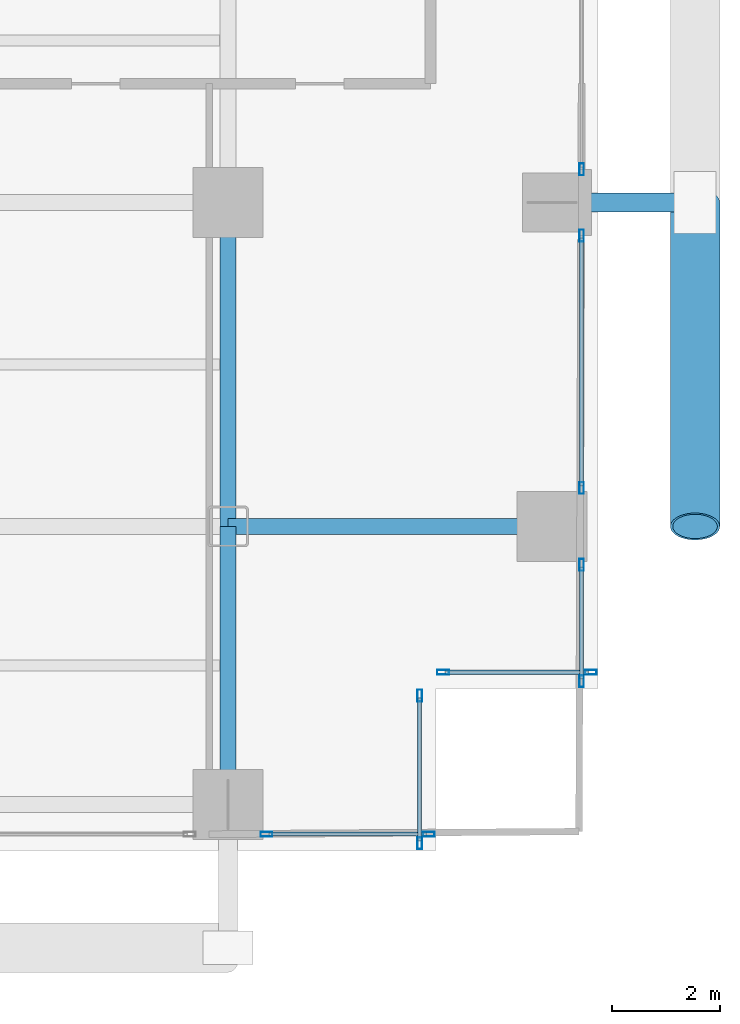
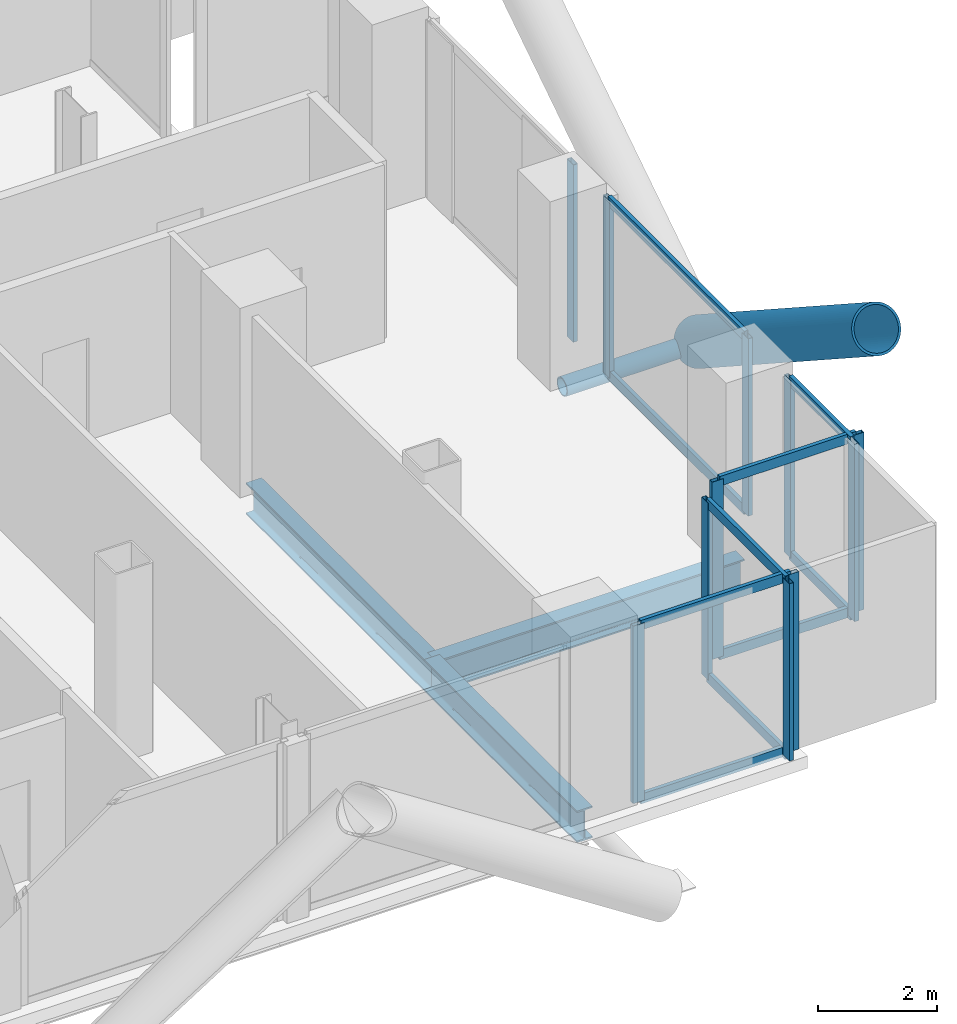
# One storey, part 10 of 25: 23 members, 3 beams, 6 elements without a shape of their own.
"""IFC4 building model written with IfcOpenShell, lengths in metres."""

from ifc_helpers import new_model, si_unit, direction, frame, origin, origin_2d, place, context, subcontext, project, spatial, hollow_rectangle, hollow_circle, i_section, extrude, material, layer, layer_set, material_profile, profile_set, type_object, element, aggregate, save


model = new_model("IFC4")

# Units and contexts
model_context = context("Model", 3, precision=1e-05, world=origin(), true_north=direction((0.0, 1.0)))
body_context = subcontext(model_context, "Body", "Model", "MODEL_VIEW")
ifc_project = project(units=[si_unit("LENGTHUNIT", "METRE"), si_unit("AREAUNIT", "SQUARE_METRE"), si_unit("VOLUMEUNIT", "CUBIC_METRE"), si_unit("PLANEANGLEUNIT", "RADIAN"), si_unit("MASSUNIT", "GRAM", prefix="KILO"), si_unit("THERMODYNAMICTEMPERATUREUNIT", "KELVIN"), si_unit("POWERUNIT", "WATT")], contexts=[model_context])

# Site, building, storey
site_placement = place(None, origin())
site = spatial("IfcSite", under=ifc_project, at=site_placement, CompositionType="ELEMENT")
building_placement = place(site_placement, origin())
building = spatial("IfcBuilding", under=site, at=building_placement, Name="Svarakhadi Broadcast Tower", CompositionType="ELEMENT")
storey_placement = place(building_placement, frame((0.0, 0.0, 51.89990234375)))
storey = spatial("IfcBuildingStorey", under=building, at=storey_placement, Name="L11", CompositionType="ELEMENT", Elevation=51.89990234375)

# Curtain wall, member
ifc_material_1 = material(Name="Anodised Bronze Aluminium AA 6063-T6", Category="aluminium")
ifc_layer = layer(ifc_material_1, 0.219970703125)
ifc_layer_set = layer_set([ifc_layer], Name="Anodised Bronze Aluminium AA 6063-T6")
curtain_wall_type = type_object("IfcCurtainWallType", Name="CW_Sys_02", PredefinedType="NOTDEFINED", material=ifc_layer_set)
curtain_wall_1_placement = place(storey_placement, origin())
curtain_wall_1 = element("IfcCurtainWall", 1, at=curtain_wall_1_placement, inside=storey, type_object=curtain_wall_type, Name="L11 Unitised Facade Curtain Wall 13 Bay 2", PredefinedType="NOTDEFINED")
ifc_material_profile_1 = material_profile(ifc_material_1, hollow_rectangle(XDim=0.0849609375, YDim=0.219970703125, WallThickness=0.006103515625, at=origin_2d()), Name="ALU MULLION 220x85x6")
ifc_profile_set_1 = profile_set([ifc_material_profile_1], Name="Anodised Bronze Aluminium AA 6063-T6")
member_type_1 = type_object("IfcMemberType", Name="CW_Sys_02_Mul", PredefinedType="MULLION", material=ifc_profile_set_1)
member_1_placement = place(storey_placement, frame((53.699951171875, 12.612548828125, 0.0), z_axis=(0.0, 0.0, 1.0), x_axis=(1.0, 0.0, 0.0)))
member_1 = element("IfcMember", 2, at=member_1_placement, type_object=member_type_1, Name="CW-02 mullion 2", PredefinedType="MULLION", context=body_context, shape_type="SweptSolid", body=[
    extrude(hollow_rectangle(XDim=0.0849609375, YDim=0.219970703125, WallThickness=0.006103515625, at=origin_2d()), origin(), (0.0, 0.0, 1.0), 3.650146484375),
])
aggregate(curtain_wall_1, [member_1])

# Curtain wall, members
curtain_wall_2_placement = place(storey_placement, origin())
curtain_wall_2 = element("IfcCurtainWall", 3, at=curtain_wall_2_placement, inside=storey, type_object=curtain_wall_type, Name="L11 Unitised Facade Curtain Wall 13 Bay 3", PredefinedType="NOTDEFINED")
member_2_placement = place(storey_placement, frame((53.699951171875, 11.387451171875, 0.0), z_axis=(0.0, 0.0, 1.0), x_axis=(1.0, 0.0, 0.0)))
member_2 = element("IfcMember", 4, at=member_2_placement, type_object=member_type_1, Name="CW-02 mullion 1", PredefinedType="MULLION", context=body_context, shape_type="SweptSolid", body=[
    extrude(hollow_rectangle(XDim=0.0849609375, YDim=0.219970703125, WallThickness=0.006103515625, at=origin_2d()), origin(), (0.0, 0.0, 1.0), 3.650146484375),
])
member_3_placement = place(storey_placement, frame((53.699951171875, 6.71240234375, 0.0), z_axis=(0.0, 0.0, 1.0), x_axis=(1.0, 0.0, 0.0)))
member_3 = element("IfcMember", 5, at=member_3_placement, type_object=member_type_1, Name="CW-02 mullion 2", PredefinedType="MULLION", context=body_context, shape_type="SweptSolid", body=[
    extrude(hollow_rectangle(XDim=0.0849609375, YDim=0.219970703125, WallThickness=0.006103515625, at=origin_2d()), origin(), (0.0, 0.0, 1.0), 3.650146484375),
])

curtain_wall_3_placement = place(storey_placement, origin())
curtain_wall_3 = element("IfcCurtainWall", 6, at=curtain_wall_3_placement, inside=storey, type_object=curtain_wall_type, Name="L11 Unitised Facade Curtain Wall 13 Bay 4", PredefinedType="NOTDEFINED")
member_4_placement = place(storey_placement, frame((53.699951171875, 5.28759765625, 0.0), z_axis=(0.0, 0.0, 1.0), x_axis=(1.0, 0.0, 0.0)))
member_4 = element("IfcMember", 7, at=member_4_placement, type_object=member_type_1, Name="CW-02 mullion 1", PredefinedType="MULLION", context=body_context, shape_type="SweptSolid", body=[
    extrude(hollow_rectangle(XDim=0.0849609375, YDim=0.219970703125, WallThickness=0.006103515625, at=origin_2d()), origin(), (0.0, 0.0, 1.0), 3.650146484375),
])
member_5_placement = place(storey_placement, frame((53.699951171875, 3.132568359375, 0.0), z_axis=(0.0, 0.0, 1.0), x_axis=(1.0, 0.0, 0.0)))
member_5 = element("IfcMember", 8, at=member_5_placement, type_object=member_type_1, Name="CW-02 mullion 2", PredefinedType="MULLION", context=body_context, shape_type="SweptSolid", body=[
    extrude(hollow_rectangle(XDim=0.0849609375, YDim=0.219970703125, WallThickness=0.006103515625, at=origin_2d()), origin(), (0.0, 0.0, 1.0), 3.650146484375),
])

curtain_wall_4_placement = place(storey_placement, origin())
curtain_wall_4 = element("IfcCurtainWall", 9, at=curtain_wall_4_placement, inside=storey, type_object=curtain_wall_type, Name="L11 Unitised Facade Curtain Wall 14", PredefinedType="NOTDEFINED")
member_6_placement = place(storey_placement, frame((53.867431640625, 3.300048828125, 0.0), z_axis=(0.0, 0.0, 1.0), x_axis=(0.0, -1.0, 0.0)))
member_6 = element("IfcMember", 10, at=member_6_placement, type_object=member_type_1, Name="CW-02 mullion 1", PredefinedType="MULLION", context=body_context, shape_type="SweptSolid", body=[
    extrude(hollow_rectangle(XDim=0.0849609375, YDim=0.219970703125, WallThickness=0.006103515625, at=origin_2d()), origin(), (0.0, 0.0, 1.0), 3.650146484375),
])
member_7_placement = place(storey_placement, frame((51.132568359375, 3.300048828125, 0.0), z_axis=(0.0, 0.0, 1.0), x_axis=(0.0, -1.0, 0.0)))
member_7 = element("IfcMember", 11, at=member_7_placement, type_object=member_type_1, Name="CW-02 mullion 2", PredefinedType="MULLION", context=body_context, shape_type="SweptSolid", body=[
    extrude(hollow_rectangle(XDim=0.0849609375, YDim=0.219970703125, WallThickness=0.006103515625, at=origin_2d()), origin(), (0.0, 0.0, 1.0), 3.650146484375),
])

curtain_wall_5_placement = place(storey_placement, origin())
curtain_wall_5 = element("IfcCurtainWall", 12, at=curtain_wall_5_placement, inside=storey, type_object=curtain_wall_type, Name="L11 Unitised Facade Curtain Wall 15", PredefinedType="NOTDEFINED")
member_8_placement = place(storey_placement, frame((50.699951171875, 2.867431640625, 0.0), z_axis=(0.0, 0.0, 1.0), x_axis=(1.0, 0.0, 0.0)))
member_8 = element("IfcMember", 13, at=member_8_placement, type_object=member_type_1, Name="CW-02 mullion 1", PredefinedType="MULLION", context=body_context, shape_type="SweptSolid", body=[
    extrude(hollow_rectangle(XDim=0.0849609375, YDim=0.219970703125, WallThickness=0.006103515625, at=origin_2d()), origin(), (0.0, 0.0, 1.0), 3.650146484375),
])
member_9_placement = place(storey_placement, frame((50.699951171875, 0.132568359375, 0.0), z_axis=(0.0, 0.0, 1.0), x_axis=(1.0, 0.0, 0.0)))
member_9 = element("IfcMember", 14, at=member_9_placement, type_object=member_type_1, Name="CW-02 mullion 2", PredefinedType="MULLION", context=body_context, shape_type="SweptSolid", body=[
    extrude(hollow_rectangle(XDim=0.0849609375, YDim=0.219970703125, WallThickness=0.006103515625, at=origin_2d()), origin(), (0.0, 0.0, 1.0), 3.650146484375),
])

curtain_wall_6_placement = place(storey_placement, origin())
curtain_wall_6 = element("IfcCurtainWall", 15, at=curtain_wall_6_placement, inside=storey, type_object=curtain_wall_type, Name="L11 South Curtain Wall 16 Bay 1", PredefinedType="NOTDEFINED")
member_10_placement = place(storey_placement, frame((50.867431640625, 0.300048828125, 0.0), z_axis=(0.0, 0.0, 1.0), x_axis=(0.0, -1.0, 0.0)))
member_10 = element("IfcMember", 16, at=member_10_placement, type_object=member_type_1, Name="CW-02 mullion 1", PredefinedType="MULLION", context=body_context, shape_type="SweptSolid", body=[
    extrude(hollow_rectangle(XDim=0.0849609375, YDim=0.219970703125, WallThickness=0.006103515625, at=origin_2d()), origin(), (0.0, 0.0, 1.0), 3.650146484375),
])
member_11_placement = place(storey_placement, frame((47.862548828125, 0.300048828125, 0.0), z_axis=(0.0, 0.0, 1.0), x_axis=(0.0, -1.0, 0.0)))
member_11 = element("IfcMember", 17, at=member_11_placement, type_object=member_type_1, Name="CW-02 mullion 2", PredefinedType="MULLION", context=body_context, shape_type="SweptSolid", body=[
    extrude(hollow_rectangle(XDim=0.0849609375, YDim=0.219970703125, WallThickness=0.006103515625, at=origin_2d()), origin(), (0.0, 0.0, 1.0), 3.650146484375),
])

# Member
ifc_material_profile_2 = material_profile(ifc_material_1, hollow_rectangle(XDim=0.074951171875, YDim=0.199951171875, WallThickness=0.0048828125, at=origin_2d()), Name="ALU TRANSOM 200x75x5")
ifc_profile_set_2 = profile_set([ifc_material_profile_2], Name="Anodised Bronze Aluminium AA 6063-T6")
member_type_2 = type_object("IfcMemberType", Name="CW_Sys_02_Trn", PredefinedType="USERDEFINED", material=ifc_profile_set_2)
member_12_placement = place(storey_placement, frame((53.699951171875, 11.344970703125, 0.03759765625), z_axis=(0.0, -1.0, 0.0), x_axis=(1.0, 0.0, 0.0)))
member_12 = element("IfcMember", 18, at=member_12_placement, type_object=member_type_2, Name="CW-02 transom 1.1", ObjectType="TRANSOM", PredefinedType="USERDEFINED", context=body_context, shape_type="SweptSolid", body=[
    extrude(hollow_rectangle(XDim=0.074951171875, YDim=0.199951171875, WallThickness=0.0048828125, at=origin_2d()), origin(), (0.0, 0.0, 1.0), 4.590087890625),
])

member_13_placement = place(storey_placement, frame((53.699951171875, 11.344970703125, 3.612548828125), z_axis=(0.0, -1.0, 0.0), x_axis=(1.0, 0.0, 0.0)))
member_13 = element("IfcMember", 19, at=member_13_placement, type_object=member_type_2, Name="CW-02 transom 1.2", ObjectType="TRANSOM", PredefinedType="USERDEFINED", context=body_context, shape_type="SweptSolid", body=[
    extrude(hollow_rectangle(XDim=0.074951171875, YDim=0.199951171875, WallThickness=0.0048828125, at=origin_2d()), origin(), (0.0, 0.0, 1.0), 4.590087890625),
])

aggregate(curtain_wall_2, [member_2, member_3, member_12, member_13])

member_14_placement = place(storey_placement, frame((53.699951171875, 5.2451171875, 0.03759765625), z_axis=(0.0, -1.0, 0.0), x_axis=(1.0, 0.0, 0.0)))
member_14 = element("IfcMember", 20, at=member_14_placement, type_object=member_type_2, Name="CW-02 transom 1.1", ObjectType="TRANSOM", PredefinedType="USERDEFINED", context=body_context, shape_type="SweptSolid", body=[
    extrude(hollow_rectangle(XDim=0.074951171875, YDim=0.199951171875, WallThickness=0.0048828125, at=origin_2d()), origin(), (0.0, 0.0, 1.0), 2.070068359375),
])

member_15_placement = place(storey_placement, frame((53.699951171875, 5.2451171875, 3.612548828125), z_axis=(0.0, -1.0, 0.0), x_axis=(1.0, 0.0, 0.0)))
member_15 = element("IfcMember", 21, at=member_15_placement, type_object=member_type_2, Name="CW-02 transom 1.2", ObjectType="TRANSOM", PredefinedType="USERDEFINED", context=body_context, shape_type="SweptSolid", body=[
    extrude(hollow_rectangle(XDim=0.074951171875, YDim=0.199951171875, WallThickness=0.0048828125, at=origin_2d()), origin(), (0.0, 0.0, 1.0), 2.070068359375),
])

aggregate(curtain_wall_3, [member_4, member_5, member_14, member_15])

member_16_placement = place(storey_placement, frame((53.824951171875, 3.300048828125, 0.03759765625), z_axis=(-1.0, 0.0, 0.0), x_axis=(0.0, -1.0, 0.0)))
member_16 = element("IfcMember", 22, at=member_16_placement, type_object=member_type_2, Name="CW-02 transom 1.1", ObjectType="TRANSOM", PredefinedType="USERDEFINED", context=body_context, shape_type="SweptSolid", body=[
    extrude(hollow_rectangle(XDim=0.074951171875, YDim=0.199951171875, WallThickness=0.0048828125, at=origin_2d()), origin(), (0.0, 0.0, 1.0), 2.64990234375),
])

member_17_placement = place(storey_placement, frame((53.824951171875, 3.300048828125, 3.612548828125), z_axis=(-1.0, 0.0, 0.0), x_axis=(0.0, -1.0, 0.0)))
member_17 = element("IfcMember", 23, at=member_17_placement, type_object=member_type_2, Name="CW-02 transom 1.2", ObjectType="TRANSOM", PredefinedType="USERDEFINED", context=body_context, shape_type="SweptSolid", body=[
    extrude(hollow_rectangle(XDim=0.074951171875, YDim=0.199951171875, WallThickness=0.0048828125, at=origin_2d()), origin(), (0.0, 0.0, 1.0), 2.64990234375),
])

aggregate(curtain_wall_4, [member_6, member_7, member_16, member_17])

member_18_placement = place(storey_placement, frame((50.699951171875, 2.824951171875, 0.03759765625), z_axis=(0.0, -1.0, 0.0), x_axis=(1.0, 0.0, 0.0)))
member_18 = element("IfcMember", 24, at=member_18_placement, type_object=member_type_2, Name="CW-02 transom 1.1", ObjectType="TRANSOM", PredefinedType="USERDEFINED", context=body_context, shape_type="SweptSolid", body=[
    extrude(hollow_rectangle(XDim=0.074951171875, YDim=0.199951171875, WallThickness=0.0048828125, at=origin_2d()), origin(), (0.0, 0.0, 1.0), 2.64990234375),
])

member_19_placement = place(storey_placement, frame((50.699951171875, 2.824951171875, 3.612548828125), z_axis=(0.0, -1.0, 0.0), x_axis=(1.0, 0.0, 0.0)))
member_19 = element("IfcMember", 25, at=member_19_placement, type_object=member_type_2, Name="CW-02 transom 1.2", ObjectType="TRANSOM", PredefinedType="USERDEFINED", context=body_context, shape_type="SweptSolid", body=[
    extrude(hollow_rectangle(XDim=0.074951171875, YDim=0.199951171875, WallThickness=0.0048828125, at=origin_2d()), origin(), (0.0, 0.0, 1.0), 2.64990234375),
])

aggregate(curtain_wall_5, [member_8, member_9, member_18, member_19])

member_20_placement = place(storey_placement, frame((50.824951171875, 0.300048828125, 0.03759765625), z_axis=(-1.0, 0.0, 0.0), x_axis=(0.0, -1.0, 0.0)))
member_20 = element("IfcMember", 26, at=member_20_placement, type_object=member_type_2, Name="CW-02 transom 1.1", ObjectType="TRANSOM", PredefinedType="USERDEFINED", context=body_context, shape_type="SweptSolid", body=[
    extrude(hollow_rectangle(XDim=0.074951171875, YDim=0.199951171875, WallThickness=0.0048828125, at=origin_2d()), origin(), (0.0, 0.0, 1.0), 2.919921875),
])

member_21_placement = place(storey_placement, frame((50.824951171875, 0.300048828125, 3.612548828125), z_axis=(-1.0, 0.0, 0.0), x_axis=(0.0, -1.0, 0.0)))
member_21 = element("IfcMember", 27, at=member_21_placement, type_object=member_type_2, Name="CW-02 transom 1.2", ObjectType="TRANSOM", PredefinedType="USERDEFINED", context=body_context, shape_type="SweptSolid", body=[
    extrude(hollow_rectangle(XDim=0.074951171875, YDim=0.199951171875, WallThickness=0.0048828125, at=origin_2d()), origin(), (0.0, 0.0, 1.0), 2.919921875),
])

aggregate(curtain_wall_6, [member_10, member_11, member_20, member_21])

# Members
ifc_material_2 = material(Name="Steel S460ML (IS 2062 E450BR)", Category="steel")
ifc_material_profile_3 = material_profile(ifc_material_2, hollow_circle(Radius=0.45703125, WallThickness=0.044921875, at=origin_2d()), Name="CHS 914x45")
ifc_profile_set_3 = profile_set([ifc_material_profile_3], Name="Steel S460ML (IS 2062 E450BR)")
member_type_3 = type_object("IfcMemberType", Name="Exo_Brace_CHS914", PredefinedType="BRACE", material=ifc_profile_set_3)
member_22_placement = place(storey_placement, frame((55.800048828125, 12.0, -0.427734375), z_axis=(0.0, -0.838434262763, 0.545002740383), x_axis=(1.0, 0.0, 0.0)))
element("IfcMember", 28, at=member_22_placement, inside=storey, type_object=member_type_3, Name="L11 Exposed Bronze Exoskeleton Diagonal E08", PredefinedType="BRACE", context=body_context, shape_type="SweptSolid", body=[
    extrude(hollow_circle(Radius=0.45703125, WallThickness=0.044921875, at=origin_2d()), origin(), (0.0, 0.0, 1.0), 7.15625),
])
ifc_material_profile_4 = material_profile(ifc_material_2, hollow_circle(Radius=0.177734375, WallThickness=0.02001953125, at=origin_2d()), Name="CHS 355.6x20")
ifc_profile_set_4 = profile_set([ifc_material_profile_4], Name="Steel S460ML (IS 2062 E450BR)")
member_type_4 = type_object("IfcMemberType", Name="Exo_Radial_Strut_Z1", PredefinedType="STRUT", material=ifc_profile_set_4)
member_23_placement = place(storey_placement, frame((55.800048828125, 12.0, -0.427734375), z_axis=(-1.0, 0.0, 0.0), x_axis=(0.0, -1.0, 0.0)))
element("IfcMember", 29, at=member_23_placement, inside=storey, type_object=member_type_4, Name="L11 Exoskeleton Radial Tie Strut E06", PredefinedType="STRUT", context=body_context, shape_type="SweptSolid", body=[
    extrude(hollow_circle(Radius=0.177734375, WallThickness=0.02001953125, at=origin_2d()), origin(), (0.0, 0.0, 1.0), 2.650146484375),
])

# Beams
ifc_material_3 = material(Name="Steel S355J2 (IS 2062 E350C)", Category="steel")
ifc_material_profile_5 = material_profile(ifc_material_3, i_section(OverallWidth=0.300048828125, OverallDepth=0.64990234375, WebThickness=0.01611328125, FlangeThickness=0.031005859375, FilletRadius=0.027099609375, at=origin_2d()), Name="WPB 650x300x225")
ifc_profile_set_5 = profile_set([ifc_material_profile_5], Name="Steel S355J2 (IS 2062 E350C)")
beam_type = type_object("IfcBeamType", Name="Girder_WPB650", PredefinedType="USERDEFINED", material=ifc_profile_set_5)
beam_1_placement = place(storey_placement, frame((47.14990234375, 6.0, -0.574951171875), z_axis=(1.0, 0.0, 0.0), x_axis=(0.0, 1.0, 0.0)))
element("IfcBeam", 30, at=beam_1_placement, inside=storey, type_object=beam_type, Name="L11 Primary E-W Girder G018", ObjectType="GIRDER", PredefinedType="USERDEFINED", context=body_context, shape_type="SweptSolid", body=[
    extrude(i_section(OverallWidth=0.300048828125, OverallDepth=0.64990234375, WebThickness=0.01611328125, FlangeThickness=0.031005859375, FilletRadius=0.027099609375, at=origin_2d()), origin(), (0.0, 0.0, 1.0), 6.0),
])
beam_2_placement = place(storey_placement, frame((47.14990234375, 0.85009765625, -0.574951171875), z_axis=(0.0, 1.0, 0.0), x_axis=(-1.0, 0.0, 0.0)))
element("IfcBeam", 31, at=beam_2_placement, inside=storey, type_object=beam_type, Name="L11 Primary N-S Girder G082", ObjectType="GIRDER", PredefinedType="USERDEFINED", context=body_context, shape_type="SweptSolid", body=[
    extrude(i_section(OverallWidth=0.300048828125, OverallDepth=0.64990234375, WebThickness=0.01611328125, FlangeThickness=0.031005859375, FilletRadius=0.027099609375, at=origin_2d()), origin(), (0.0, 0.0, 1.0), 5.14990234375),
])
beam_3_placement = place(storey_placement, frame((47.14990234375, 6.0, -0.574951171875), z_axis=(0.0, 1.0, 0.0), x_axis=(-1.0, 0.0, 0.0)))
element("IfcBeam", 32, at=beam_3_placement, inside=storey, type_object=beam_type, Name="L11 Primary N-S Girder G083", ObjectType="GIRDER", PredefinedType="USERDEFINED", context=body_context, shape_type="SweptSolid", body=[
    extrude(i_section(OverallWidth=0.300048828125, OverallDepth=0.64990234375, WebThickness=0.01611328125, FlangeThickness=0.031005859375, FilletRadius=0.027099609375, at=origin_2d()), origin(), (0.0, 0.0, 1.0), 6.0),
])

save(model, "model.ifc")
